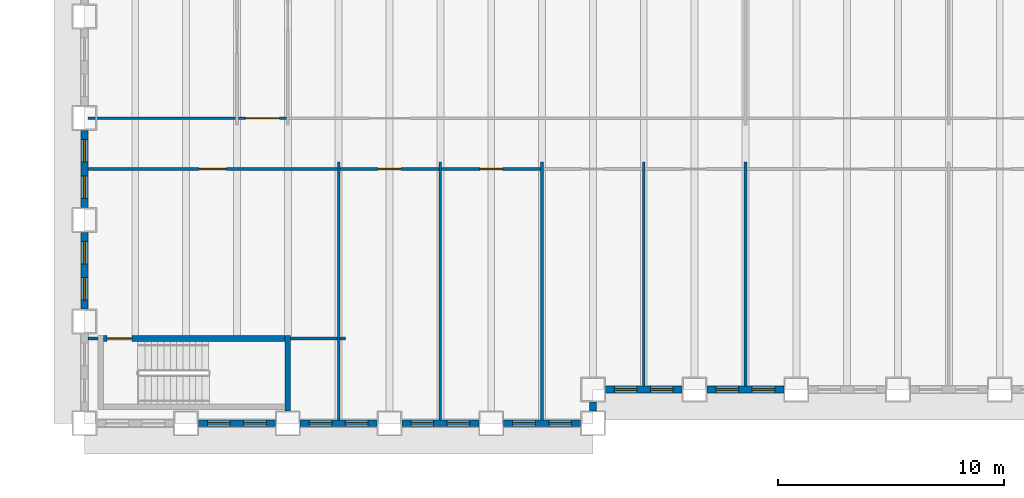
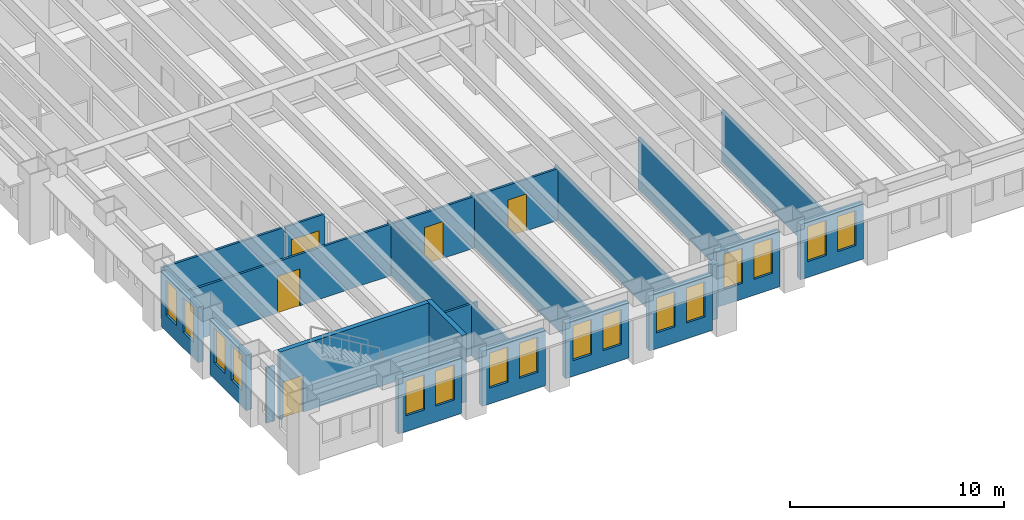
# One storey, part 3 of 15: 24 walls, 16 windows, 5 doors, 21 openings.
"""IFC4 building model written with IfcOpenShell, lengths in metres."""

from ifc_helpers import new_model, si_unit, direction, frame, frame_2d, origin, place, context, subcontext, project, spatial, rectangle, extrude, material, layer, layer_set, type_object, element, fill, save


model = new_model("IFC4")

# Units and contexts
model_context = context("Model", 3, precision=1e-05, world=origin(), true_north=direction((0.0, 1.0)))
body_context = subcontext(model_context, "Body", "Model", "MODEL_VIEW")
ifc_project = project(units=[si_unit("LENGTHUNIT", "METRE"), si_unit("AREAUNIT", "SQUARE_METRE"), si_unit("VOLUMEUNIT", "CUBIC_METRE"), si_unit("PLANEANGLEUNIT", "RADIAN"), si_unit("MASSUNIT", "GRAM", prefix="KILO")], contexts=[model_context])

# Site, building, storey
site_placement = place(None, origin())
site = spatial("IfcSite", under=ifc_project, at=site_placement, CompositionType="ELEMENT")
building_placement = place(site_placement, origin())
building = spatial("IfcBuilding", under=site, at=building_placement, Name="Sennacour Bend Tower", CompositionType="ELEMENT")
storey_placement = place(building_placement, frame((0.0, 0.0, 41.0)))
storey = spatial("IfcBuildingStorey", under=building, at=storey_placement, Name="L08", CompositionType="ELEMENT", Elevation=41.0)

# Walls
ifc_material_1 = material(Name="Plasterboard partition on steel studs", Category="steel")
ifc_layer_1 = layer(ifc_material_1, 0.1201171875, Name="Plasterboard partition on steel studs", Category="steel")
ifc_layer_set_1 = layer_set([ifc_layer_1], Name="Plasterboard partition on steel studs")
wall_type_1 = type_object("IfcWallType", Name="Partition 120", PredefinedType="PARTITIONING", material=ifc_layer_set_1)
for number, where, z_axis, x_axis, name in (
    (1, (11.25, 0.14990234375, 0.0), (0.0, 0.0, 1.0), (0.0, 1.0, 0.0), "P-L08-W014a"),
    (2, (15.75, 0.14990234375, 0.0), (0.0, 0.0, 1.0), (0.0, 1.0, 0.0), "P-L08-W019a"),
    (3, (20.25, 0.14990234375, 0.0), (0.0, 0.0, 1.0), (0.0, 1.0, 0.0), "P-L08-W023a"),
):
    element("IfcWall", number, at=place(storey_placement, frame(where, z_axis=z_axis, x_axis=x_axis)), inside=storey, type_object=wall_type_1, Name=name, PredefinedType="PARTITIONING", context=body_context, shape_type="SweptSolid", body=[
        extrude(rectangle(XDim=11.400146484375, YDim=0.1201171875, at=frame_2d((5.7001953125, 0.0))), origin(), (0.0, 0.0, 1.0), 2.93798828125),
    ])
for number, where, z_axis, x_axis, name in (
    (4, (24.75, 1.64990234375, 0.0), (0.0, 0.0, 1.0), (0.0, 1.0, 0.0), "P-L08-W025a"),
    (5, (29.25, 1.64990234375, 0.0), (0.0, 0.0, 1.0), (0.0, 1.0, 0.0), "P-L08-W026a"),
):
    element("IfcWall", number, at=place(storey_placement, frame(where, z_axis=z_axis, x_axis=x_axis)), inside=storey, type_object=wall_type_1, Name=name, PredefinedType="PARTITIONING", context=body_context, shape_type="SweptSolid", body=[
        extrude(rectangle(XDim=9.900146484375, YDim=0.1201171875, at=frame_2d((4.9501953125, 0.0))), origin(), (0.0, 0.0, 1.0), 2.93798828125),
    ])
wall_1_placement = place(storey_placement, frame((0.14990234375, 3.75, 0.0), z_axis=(0.0, 0.0, 1.0), x_axis=(1.0, 0.0, 0.0)))
element("IfcWall", 6, at=wall_1_placement, inside=storey, type_object=wall_type_1, Name="P-L08-W048a", PredefinedType="PARTITIONING", context=body_context, shape_type="SweptSolid", body=[
    extrude(rectangle(XDim=0.4501953125, YDim=0.1201171875, at=frame_2d((0.22509765625, 0.0))), origin(), (0.0, 0.0, 1.0), 3.14404296875),
])
wall_2_placement = place(storey_placement, frame((9.125, 3.75, 0.0), z_axis=(0.0, 0.0, 1.0), x_axis=(1.0, 0.0, 0.0)))
element("IfcWall", 7, at=wall_2_placement, inside=storey, type_object=wall_type_1, Name="P-L08-W050aa", PredefinedType="PARTITIONING", context=body_context, shape_type="SweptSolid", body=[
    extrude(rectangle(XDim=2.06494140625, YDim=0.1201171875, at=frame_2d((1.032470703125, 0.0))), origin(), (0.0, 0.0, 1.0), 2.93798828125),
])
wall_3_placement = place(storey_placement, frame((11.31005859375, 3.75, 0.0), z_axis=(0.0, 0.0, 1.0), x_axis=(1.0, 0.0, 0.0)))
element("IfcWall", 8, at=wall_3_placement, inside=storey, type_object=wall_type_1, Name="P-L08-W050ab", PredefinedType="PARTITIONING", context=body_context, shape_type="SweptSolid", body=[
    extrude(rectangle(XDim=0.239990234375, YDim=0.1201171875, at=frame_2d((0.1201171875, 0.0))), origin(), (0.0, 0.0, 1.0), 2.93798828125),
])

# Wall, opening, door
wall_4_placement = place(storey_placement, frame((11.31005859375, 11.25, 0.0), z_axis=(0.0, 0.0, 1.0), x_axis=(1.0, 0.0, 0.0)))
wall_4 = element("IfcWall", 9, at=wall_4_placement, inside=storey, type_object=wall_type_1, Name="P-L08-W056ab", PredefinedType="PARTITIONING", context=body_context, shape_type="SweptSolid", body=[
    extrude(rectangle(XDim=4.3798828125, YDim=0.1201171875, at=frame_2d((2.18994140625, 0.0))), origin(), (0.0, 0.0, 1.0), 2.93798828125),
])
opening_1_placement = place(wall_4_placement, frame((1.68994140625, 0.0, 0.0)))
opening_1 = element("IfcOpeningElement", 10, at=opening_1_placement, cuts=wall_4, Name="Opening MD2", PredefinedType="OPENING", context=body_context, shape_type="SweptSolid", body=[
    extrude(rectangle(XDim=1.0, YDim=2.10009765625, at=frame_2d((0.5, 1.050048828125))), frame((0.0, 0.070068359375, 0.0), z_axis=(0.0, -1.0, 0.0), x_axis=(1.0, 0.0, 0.0)), (0.0, 0.0, 1.0), 0.14013671875),
])
ifc_material_2 = material(Name="Timber", Category="wood")
door_type_1 = type_object("IfcDoorType", Name="DR-MEETING-1000", OperationType="NOTDEFINED", PredefinedType="DOOR", material=ifc_material_2)
door_1_placement = place(opening_1_placement, origin())
door_1 = element("IfcDoor", 11, at=door_1_placement, inside=storey, type_object=door_type_1, Name="Door", OperationType="SINGLE_SWING_LEFT", OverallHeight=2.10009765625, OverallWidth=1.0, PredefinedType="DOOR", context=body_context, shape_type="SweptSolid", body=[
    extrude(rectangle(XDim=1.0, YDim=2.10009765625, at=frame_2d((0.5, 1.050048828125))), frame((0.0, 0.02490234375, 0.0), z_axis=(0.0, -1.0, 0.0), x_axis=(1.0, 0.0, 0.0)), (0.0, 0.0, 1.0), 0.050048828125),
])
fill(opening_1, door_1)

wall_5_placement = place(storey_placement, frame((15.81005859375, 11.25, 0.0), z_axis=(0.0, 0.0, 1.0), x_axis=(1.0, 0.0, 0.0)))
wall_5 = element("IfcWall", 12, at=wall_5_placement, inside=storey, type_object=wall_type_1, Name="P-L08-W056ac", PredefinedType="PARTITIONING", context=body_context, shape_type="SweptSolid", body=[
    extrude(rectangle(XDim=4.3798828125, YDim=0.1201171875, at=frame_2d((2.18994140625, 0.0))), origin(), (0.0, 0.0, 1.0), 2.93798828125),
])
opening_2_placement = place(wall_5_placement, frame((1.68994140625, 0.0, 0.0)))
opening_2 = element("IfcOpeningElement", 13, at=opening_2_placement, cuts=wall_5, Name="Opening OD2", PredefinedType="OPENING", context=body_context, shape_type="SweptSolid", body=[
    extrude(rectangle(XDim=1.0, YDim=2.10009765625, at=frame_2d((0.5, 1.050048828125))), frame((0.0, 0.070068359375, 0.0), z_axis=(0.0, -1.0, 0.0), x_axis=(1.0, 0.0, 0.0)), (0.0, 0.0, 1.0), 0.14013671875),
])
door_type_2 = type_object("IfcDoorType", Name="DR-OFFICE-1000", OperationType="NOTDEFINED", PredefinedType="DOOR", material=ifc_material_2)
door_2_placement = place(opening_2_placement, origin())
door_2 = element("IfcDoor", 14, at=door_2_placement, inside=storey, type_object=door_type_2, Name="Door", OperationType="SINGLE_SWING_LEFT", OverallHeight=2.10009765625, OverallWidth=1.0, PredefinedType="DOOR", context=body_context, shape_type="SweptSolid", body=[
    extrude(rectangle(XDim=1.0, YDim=2.10009765625, at=frame_2d((0.5, 1.050048828125))), frame((0.0, 0.02490234375, 0.0), z_axis=(0.0, -1.0, 0.0), x_axis=(1.0, 0.0, 0.0)), (0.0, 0.0, 1.0), 0.050048828125),
])
fill(opening_2, door_2)

# Wall
wall_6_placement = place(storey_placement, frame((0.14990234375, 13.5, 0.0), z_axis=(0.0, 0.0, 1.0), x_axis=(1.0, 0.0, 0.0)))
element("IfcWall", 15, at=wall_6_placement, inside=storey, type_object=wall_type_1, Name="P-L08-W058aa", PredefinedType="PARTITIONING", context=body_context, shape_type="SweptSolid", body=[
    extrude(rectangle(XDim=6.5400390625, YDim=0.1201171875, at=frame_2d((3.27001953125, 0.0))), origin(), (0.0, 0.0, 1.0), 2.93798828125),
])

# Wall, opening, door
ifc_layer_2 = layer(ifc_material_1, 0.1201171875, Name="Plasterboard partition on steel studs", Category="steel")
ifc_layer_set_2 = layer_set([ifc_layer_2], Name="Plasterboard partition on steel studs")
wall_type_2 = type_object("IfcWallType", Name="Partition 120 EI 30", PredefinedType="PARTITIONING", material=ifc_layer_set_2)
wall_7_placement = place(storey_placement, frame((0.14990234375, 11.25, 0.0), z_axis=(0.0, 0.0, 1.0), x_axis=(1.0, 0.0, 0.0)))
wall_7 = element("IfcWall", 16, at=wall_7_placement, inside=storey, type_object=wall_type_2, Name="P-L08-W056aa", PredefinedType="PARTITIONING", context=body_context, shape_type="SweptSolid", body=[
    extrude(rectangle(XDim=11.0400390625, YDim=0.1201171875, at=frame_2d((5.52001953125, 0.0))), origin(), (0.0, 0.0, 1.0), 2.93798828125),
])
opening_3_placement = place(wall_7_placement, frame((4.93017578125, 0.0, 0.0)))
opening_3 = element("IfcOpeningElement", 17, at=opening_3_placement, cuts=wall_7, Name="Opening KD2", PredefinedType="OPENING", context=body_context, shape_type="SweptSolid", body=[
    extrude(rectangle(XDim=1.199951171875, YDim=2.10009765625, at=frame_2d((0.60009765625, 1.050048828125))), frame((0.0, 0.070068359375, 0.0), z_axis=(0.0, -1.0, 0.0), x_axis=(1.0, 0.0, 0.0)), (0.0, 0.0, 1.0), 0.14013671875),
])
ifc_material_3 = material(Name="Painted steel", Category="steel")
door_type_3 = type_object("IfcDoorType", Name="DR-CORRIDOR-1200", OperationType="NOTDEFINED", PredefinedType="DOOR", material=ifc_material_3)
door_3_placement = place(opening_3_placement, origin())
door_3 = element("IfcDoor", 18, at=door_3_placement, inside=storey, type_object=door_type_3, Name="Door", OperationType="SINGLE_SWING_LEFT", OverallHeight=2.10009765625, OverallWidth=1.199951171875, PredefinedType="DOOR", context=body_context, shape_type="SweptSolid", body=[
    extrude(rectangle(XDim=1.199951171875, YDim=2.10009765625, at=frame_2d((0.60009765625, 1.050048828125))), frame((0.0, 0.02490234375, 0.0), z_axis=(0.0, -1.0, 0.0), x_axis=(1.0, 0.0, 0.0)), (0.0, 0.0, 1.0), 0.050048828125),
])
fill(opening_3, door_3)

wall_8_placement = place(storey_placement, frame((6.81005859375, 13.5, 0.0), z_axis=(0.0, 0.0, 1.0), x_axis=(1.0, 0.0, 0.0)))
wall_8 = element("IfcWall", 19, at=wall_8_placement, inside=storey, type_object=wall_type_2, Name="P-L08-W058ab", PredefinedType="PARTITIONING", context=body_context, shape_type="SweptSolid", body=[
    extrude(rectangle(XDim=2.1298828125, YDim=0.1201171875, at=frame_2d((1.06494140625, 0.0))), origin(), (0.0, 0.0, 1.0), 2.93798828125),
])
opening_4_placement = place(wall_8_placement, frame((0.31494140625, 0.0, 0.0)))
opening_4 = element("IfcOpeningElement", 20, at=opening_4_placement, cuts=wall_8, Name="Opening KD", PredefinedType="OPENING", context=body_context, shape_type="SweptSolid", body=[
    extrude(rectangle(XDim=1.5, YDim=2.10009765625, at=frame_2d((0.75, 1.050048828125))), frame((0.0, 0.070068359375, 0.0), z_axis=(0.0, -1.0, 0.0), x_axis=(1.0, 0.0, 0.0)), (0.0, 0.0, 1.0), 0.14013671875),
])
door_type_4 = type_object("IfcDoorType", Name="DR-CORRIDOR-1500", OperationType="NOTDEFINED", PredefinedType="DOOR", material=ifc_material_3)
door_4_placement = place(opening_4_placement, origin())
door_4 = element("IfcDoor", 21, at=door_4_placement, inside=storey, type_object=door_type_4, Name="Door", OperationType="SINGLE_SWING_LEFT", OverallHeight=2.10009765625, OverallWidth=1.5, PredefinedType="DOOR", context=body_context, shape_type="SweptSolid", body=[
    extrude(rectangle(XDim=1.5, YDim=2.10009765625, at=frame_2d((0.75, 1.050048828125))), frame((0.0, 0.02490234375, 0.0), z_axis=(0.0, -1.0, 0.0), x_axis=(1.0, 0.0, 0.0)), (0.0, 0.0, 1.0), 0.050048828125),
])
fill(opening_4, door_4)

# Wall, openings, windows
ifc_material_4 = material(Name="Warm limestone cladding", Category="masonry")
ifc_layer_3 = layer(ifc_material_4, 0.050048828125, Name="Warm limestone cladding", Category="masonry")
ifc_material_5 = material(Name="Precast concrete C40/50", Category="concrete")
ifc_layer_4 = layer(ifc_material_5, 0.25, Name="Precast concrete C40/50", Category="concrete")
ifc_layer_set_3 = layer_set([ifc_layer_3, ifc_layer_4], Name="Precast concrete C40/50 with limestone cladding")
wall_type_3 = type_object("IfcWallType", Name="STONE-CLAD PRECAST SPANDREL 300", PredefinedType="STANDARD", material=ifc_layer_set_3)
wall_9_placement = place(storey_placement, frame((5.050048828125, 0.0, 0.0), z_axis=(0.0, 0.0, 1.0), x_axis=(1.0, 0.0, 0.0)))
wall_9 = element("IfcWall", 22, at=wall_9_placement, inside=storey, type_object=wall_type_3, Name="Stone spandrel and pier wall L08 00.01", PredefinedType="STANDARD", context=body_context, shape_type="SweptSolid", body=[
    extrude(rectangle(XDim=3.39990234375, YDim=0.300048828125, at=frame_2d((1.699951171875, 0.0))), origin(), (0.0, 0.0, 1.0), 3.14404296875),
])
opening_5_placement = place(wall_9_placement, frame((0.39990234375, 0.0, 0.89990234375)))
opening_5 = element("IfcOpeningElement", 23, at=opening_5_placement, cuts=wall_9, Name="Opening W8", PredefinedType="OPENING", context=body_context, shape_type="SweptSolid", body=[
    extrude(rectangle(XDim=1.0, YDim=2.0, at=frame_2d((0.5, 1.0))), frame((0.0, 0.16015625, 0.0), z_axis=(0.0, -1.0, 0.0), x_axis=(1.0, 0.0, 0.0)), (0.0, 0.0, 1.0), 0.320068359375),
])
opening_6_placement = place(wall_9_placement, frame((2.0, 0.0, 0.89990234375)))
opening_6 = element("IfcOpeningElement", 24, at=opening_6_placement, cuts=wall_9, Name="Opening W8", PredefinedType="OPENING", context=body_context, shape_type="SweptSolid", body=[
    extrude(rectangle(XDim=1.0, YDim=2.0, at=frame_2d((0.5, 1.0))), frame((0.0, 0.16015625, 0.0), z_axis=(0.0, -1.0, 0.0), x_axis=(1.0, 0.0, 0.0)), (0.0, 0.0, 1.0), 0.320068359375),
])
ifc_material_6 = material(Name="Clear low-emissivity glass", Category="glass")
window_type = type_object("IfcWindowType", Name="WIN-RIBBON-1000x2000", PartitioningType="SINGLE_PANEL", PredefinedType="WINDOW", material=ifc_material_6)
window_1_placement = place(opening_5_placement, origin())
window_1 = element("IfcWindow", 25, at=window_1_placement, inside=storey, type_object=window_type, Name="Ribbon window L08 00.01.0", OverallHeight=2.0, OverallWidth=1.0, PartitioningType="SINGLE_PANEL", PredefinedType="WINDOW", context=body_context, shape_type="SweptSolid", body=[
    extrude(rectangle(XDim=1.0, YDim=2.0, at=frame_2d((0.5, 1.0))), frame((0.0, 0.030029296875, 0.0), z_axis=(0.0, -1.0, 0.0), x_axis=(1.0, 0.0, 0.0)), (0.0, 0.0, 1.0), 0.06005859375),
])
fill(opening_5, window_1)
window_2_placement = place(opening_6_placement, origin())
window_2 = element("IfcWindow", 26, at=window_2_placement, inside=storey, type_object=window_type, Name="Ribbon window L08 00.01.1", OverallHeight=2.0, OverallWidth=1.0, PartitioningType="SINGLE_PANEL", PredefinedType="WINDOW", context=body_context, shape_type="SweptSolid", body=[
    extrude(rectangle(XDim=1.0, YDim=2.0, at=frame_2d((0.5, 1.0))), frame((0.0, 0.030029296875, 0.0), z_axis=(0.0, -1.0, 0.0), x_axis=(1.0, 0.0, 0.0)), (0.0, 0.0, 1.0), 0.06005859375),
])
fill(opening_6, window_2)

wall_10_placement = place(storey_placement, frame((9.550048828125, 0.0, 0.0), z_axis=(0.0, 0.0, 1.0), x_axis=(1.0, 0.0, 0.0)))
wall_10 = element("IfcWall", 27, at=wall_10_placement, inside=storey, type_object=wall_type_3, Name="Stone spandrel and pier wall L08 00.02", PredefinedType="STANDARD", context=body_context, shape_type="SweptSolid", body=[
    extrude(rectangle(XDim=3.39990234375, YDim=0.300048828125, at=frame_2d((1.699951171875, 0.0))), origin(), (0.0, 0.0, 1.0), 3.14404296875),
])
opening_7_placement = place(wall_10_placement, frame((0.39990234375, 0.0, 0.89990234375)))
opening_7 = element("IfcOpeningElement", 28, at=opening_7_placement, cuts=wall_10, Name="Opening W8", PredefinedType="OPENING", context=body_context, shape_type="SweptSolid", body=[
    extrude(rectangle(XDim=1.0, YDim=2.0, at=frame_2d((0.5, 1.0))), frame((0.0, 0.16015625, 0.0), z_axis=(0.0, -1.0, 0.0), x_axis=(1.0, 0.0, 0.0)), (0.0, 0.0, 1.0), 0.320068359375),
])
opening_8_placement = place(wall_10_placement, frame((2.0, 0.0, 0.89990234375)))
opening_8 = element("IfcOpeningElement", 29, at=opening_8_placement, cuts=wall_10, Name="Opening W8", PredefinedType="OPENING", context=body_context, shape_type="SweptSolid", body=[
    extrude(rectangle(XDim=1.0, YDim=2.0, at=frame_2d((0.5, 1.0))), frame((0.0, 0.16015625, 0.0), z_axis=(0.0, -1.0, 0.0), x_axis=(1.0, 0.0, 0.0)), (0.0, 0.0, 1.0), 0.320068359375),
])
window_3_placement = place(opening_7_placement, origin())
window_3 = element("IfcWindow", 30, at=window_3_placement, inside=storey, type_object=window_type, Name="Ribbon window L08 00.02.0", OverallHeight=2.0, OverallWidth=1.0, PartitioningType="SINGLE_PANEL", PredefinedType="WINDOW", context=body_context, shape_type="SweptSolid", body=[
    extrude(rectangle(XDim=1.0, YDim=2.0, at=frame_2d((0.5, 1.0))), frame((0.0, 0.030029296875, 0.0), z_axis=(0.0, -1.0, 0.0), x_axis=(1.0, 0.0, 0.0)), (0.0, 0.0, 1.0), 0.06005859375),
])
fill(opening_7, window_3)
window_4_placement = place(opening_8_placement, origin())
window_4 = element("IfcWindow", 31, at=window_4_placement, inside=storey, type_object=window_type, Name="Ribbon window L08 00.02.1", OverallHeight=2.0, OverallWidth=1.0, PartitioningType="SINGLE_PANEL", PredefinedType="WINDOW", context=body_context, shape_type="SweptSolid", body=[
    extrude(rectangle(XDim=1.0, YDim=2.0, at=frame_2d((0.5, 1.0))), frame((0.0, 0.030029296875, 0.0), z_axis=(0.0, -1.0, 0.0), x_axis=(1.0, 0.0, 0.0)), (0.0, 0.0, 1.0), 0.06005859375),
])
fill(opening_8, window_4)

wall_11_placement = place(storey_placement, frame((14.050048828125, 0.0, 0.0), z_axis=(0.0, 0.0, 1.0), x_axis=(1.0, 0.0, 0.0)))
wall_11 = element("IfcWall", 32, at=wall_11_placement, inside=storey, type_object=wall_type_3, Name="Stone spandrel and pier wall L08 00.03", PredefinedType="STANDARD", context=body_context, shape_type="SweptSolid", body=[
    extrude(rectangle(XDim=3.39990234375, YDim=0.300048828125, at=frame_2d((1.699951171875, 0.0))), origin(), (0.0, 0.0, 1.0), 3.14404296875),
])
opening_9_placement = place(wall_11_placement, frame((0.39990234375, 0.0, 0.89990234375)))
opening_9 = element("IfcOpeningElement", 33, at=opening_9_placement, cuts=wall_11, Name="Opening W8", PredefinedType="OPENING", context=body_context, shape_type="SweptSolid", body=[
    extrude(rectangle(XDim=1.0, YDim=2.0, at=frame_2d((0.5, 1.0))), frame((0.0, 0.16015625, 0.0), z_axis=(0.0, -1.0, 0.0), x_axis=(1.0, 0.0, 0.0)), (0.0, 0.0, 1.0), 0.320068359375),
])
opening_10_placement = place(wall_11_placement, frame((2.0, 0.0, 0.89990234375)))
opening_10 = element("IfcOpeningElement", 34, at=opening_10_placement, cuts=wall_11, Name="Opening W8", PredefinedType="OPENING", context=body_context, shape_type="SweptSolid", body=[
    extrude(rectangle(XDim=1.0, YDim=2.0, at=frame_2d((0.5, 1.0))), frame((0.0, 0.16015625, 0.0), z_axis=(0.0, -1.0, 0.0), x_axis=(1.0, 0.0, 0.0)), (0.0, 0.0, 1.0), 0.320068359375),
])
window_5_placement = place(opening_9_placement, origin())
window_5 = element("IfcWindow", 35, at=window_5_placement, inside=storey, type_object=window_type, Name="Ribbon window L08 00.03.0", OverallHeight=2.0, OverallWidth=1.0, PartitioningType="SINGLE_PANEL", PredefinedType="WINDOW", context=body_context, shape_type="SweptSolid", body=[
    extrude(rectangle(XDim=1.0, YDim=2.0, at=frame_2d((0.5, 1.0))), frame((0.0, 0.030029296875, 0.0), z_axis=(0.0, -1.0, 0.0), x_axis=(1.0, 0.0, 0.0)), (0.0, 0.0, 1.0), 0.06005859375),
])
fill(opening_9, window_5)
window_6_placement = place(opening_10_placement, origin())
window_6 = element("IfcWindow", 36, at=window_6_placement, inside=storey, type_object=window_type, Name="Ribbon window L08 00.03.1", OverallHeight=2.0, OverallWidth=1.0, PartitioningType="SINGLE_PANEL", PredefinedType="WINDOW", context=body_context, shape_type="SweptSolid", body=[
    extrude(rectangle(XDim=1.0, YDim=2.0, at=frame_2d((0.5, 1.0))), frame((0.0, 0.030029296875, 0.0), z_axis=(0.0, -1.0, 0.0), x_axis=(1.0, 0.0, 0.0)), (0.0, 0.0, 1.0), 0.06005859375),
])
fill(opening_10, window_6)

wall_12_placement = place(storey_placement, frame((18.550048828125, 0.0, 0.0), z_axis=(0.0, 0.0, 1.0), x_axis=(1.0, 0.0, 0.0)))
wall_12 = element("IfcWall", 37, at=wall_12_placement, inside=storey, type_object=wall_type_3, Name="Stone spandrel and pier wall L08 00.04", PredefinedType="STANDARD", context=body_context, shape_type="SweptSolid", body=[
    extrude(rectangle(XDim=3.39990234375, YDim=0.300048828125, at=frame_2d((1.699951171875, 0.0))), origin(), (0.0, 0.0, 1.0), 3.14404296875),
])
opening_11_placement = place(wall_12_placement, frame((0.39990234375, 0.0, 0.89990234375)))
opening_11 = element("IfcOpeningElement", 38, at=opening_11_placement, cuts=wall_12, Name="Opening W8", PredefinedType="OPENING", context=body_context, shape_type="SweptSolid", body=[
    extrude(rectangle(XDim=1.0, YDim=2.0, at=frame_2d((0.5, 1.0))), frame((0.0, 0.16015625, 0.0), z_axis=(0.0, -1.0, 0.0), x_axis=(1.0, 0.0, 0.0)), (0.0, 0.0, 1.0), 0.320068359375),
])
opening_12_placement = place(wall_12_placement, frame((2.0, 0.0, 0.89990234375)))
opening_12 = element("IfcOpeningElement", 39, at=opening_12_placement, cuts=wall_12, Name="Opening W8", PredefinedType="OPENING", context=body_context, shape_type="SweptSolid", body=[
    extrude(rectangle(XDim=1.0, YDim=2.0, at=frame_2d((0.5, 1.0))), frame((0.0, 0.16015625, 0.0), z_axis=(0.0, -1.0, 0.0), x_axis=(1.0, 0.0, 0.0)), (0.0, 0.0, 1.0), 0.320068359375),
])
window_7_placement = place(opening_11_placement, origin())
window_7 = element("IfcWindow", 40, at=window_7_placement, inside=storey, type_object=window_type, Name="Ribbon window L08 00.04.0", OverallHeight=2.0, OverallWidth=1.0, PartitioningType="SINGLE_PANEL", PredefinedType="WINDOW", context=body_context, shape_type="SweptSolid", body=[
    extrude(rectangle(XDim=1.0, YDim=2.0, at=frame_2d((0.5, 1.0))), frame((0.0, 0.030029296875, 0.0), z_axis=(0.0, -1.0, 0.0), x_axis=(1.0, 0.0, 0.0)), (0.0, 0.0, 1.0), 0.06005859375),
])
fill(opening_11, window_7)
window_8_placement = place(opening_12_placement, origin())
window_8 = element("IfcWindow", 41, at=window_8_placement, inside=storey, type_object=window_type, Name="Ribbon window L08 00.04.1", OverallHeight=2.0, OverallWidth=1.0, PartitioningType="SINGLE_PANEL", PredefinedType="WINDOW", context=body_context, shape_type="SweptSolid", body=[
    extrude(rectangle(XDim=1.0, YDim=2.0, at=frame_2d((0.5, 1.0))), frame((0.0, 0.030029296875, 0.0), z_axis=(0.0, -1.0, 0.0), x_axis=(1.0, 0.0, 0.0)), (0.0, 0.0, 1.0), 0.06005859375),
])
fill(opening_12, window_8)

# Wall
wall_13_placement = place(storey_placement, frame((22.5, 0.550048828125, 0.0), z_axis=(0.0, 0.0, 1.0), x_axis=(0.0, 1.0, 0.0)))
element("IfcWall", 42, at=wall_13_placement, inside=storey, type_object=wall_type_3, Name="Stone spandrel and pier wall L08 01.00", PredefinedType="STANDARD", context=body_context, shape_type="SweptSolid", body=[
    extrude(rectangle(XDim=0.39990234375, YDim=0.300048828125, at=frame_2d((0.199951171875, 0.0))), origin(), (0.0, 0.0, 1.0), 3.14404296875),
])

# Wall, openings, windows
wall_14_placement = place(storey_placement, frame((23.050048828125, 1.5, 0.0), z_axis=(0.0, 0.0, 1.0), x_axis=(1.0, 0.0, 0.0)))
wall_14 = element("IfcWall", 43, at=wall_14_placement, inside=storey, type_object=wall_type_3, Name="Stone spandrel and pier wall L08 02.00", PredefinedType="STANDARD", context=body_context, shape_type="SweptSolid", body=[
    extrude(rectangle(XDim=3.39990234375, YDim=0.300048828125, at=frame_2d((1.699951171875, 0.0))), origin(), (0.0, 0.0, 1.0), 3.14404296875),
])
opening_13_placement = place(wall_14_placement, frame((0.39990234375, 0.0, 0.89990234375)))
opening_13 = element("IfcOpeningElement", 44, at=opening_13_placement, cuts=wall_14, Name="Opening W8", PredefinedType="OPENING", context=body_context, shape_type="SweptSolid", body=[
    extrude(rectangle(XDim=1.0, YDim=2.0, at=frame_2d((0.5, 1.0))), frame((0.0, 0.16015625, 0.0), z_axis=(0.0, -1.0, 0.0), x_axis=(1.0, 0.0, 0.0)), (0.0, 0.0, 1.0), 0.320068359375),
])
opening_14_placement = place(wall_14_placement, frame((2.0, 0.0, 0.89990234375)))
opening_14 = element("IfcOpeningElement", 45, at=opening_14_placement, cuts=wall_14, Name="Opening W8", PredefinedType="OPENING", context=body_context, shape_type="SweptSolid", body=[
    extrude(rectangle(XDim=1.0, YDim=2.0, at=frame_2d((0.5, 1.0))), frame((0.0, 0.16015625, 0.0), z_axis=(0.0, -1.0, 0.0), x_axis=(1.0, 0.0, 0.0)), (0.0, 0.0, 1.0), 0.320068359375),
])
window_9_placement = place(opening_13_placement, origin())
window_9 = element("IfcWindow", 46, at=window_9_placement, inside=storey, type_object=window_type, Name="Ribbon window L08 02.00.0", OverallHeight=2.0, OverallWidth=1.0, PartitioningType="SINGLE_PANEL", PredefinedType="WINDOW", context=body_context, shape_type="SweptSolid", body=[
    extrude(rectangle(XDim=1.0, YDim=2.0, at=frame_2d((0.5, 1.0))), frame((0.0, 0.030029296875, 0.0), z_axis=(0.0, -1.0, 0.0), x_axis=(1.0, 0.0, 0.0)), (0.0, 0.0, 1.0), 0.06005859375),
])
fill(opening_13, window_9)
window_10_placement = place(opening_14_placement, origin())
window_10 = element("IfcWindow", 47, at=window_10_placement, inside=storey, type_object=window_type, Name="Ribbon window L08 02.00.1", OverallHeight=2.0, OverallWidth=1.0, PartitioningType="SINGLE_PANEL", PredefinedType="WINDOW", context=body_context, shape_type="SweptSolid", body=[
    extrude(rectangle(XDim=1.0, YDim=2.0, at=frame_2d((0.5, 1.0))), frame((0.0, 0.030029296875, 0.0), z_axis=(0.0, -1.0, 0.0), x_axis=(1.0, 0.0, 0.0)), (0.0, 0.0, 1.0), 0.06005859375),
])
fill(opening_14, window_10)

wall_15_placement = place(storey_placement, frame((27.550048828125, 1.5, 0.0), z_axis=(0.0, 0.0, 1.0), x_axis=(1.0, 0.0, 0.0)))
wall_15 = element("IfcWall", 48, at=wall_15_placement, inside=storey, type_object=wall_type_3, Name="Stone spandrel and pier wall L08 02.01", PredefinedType="STANDARD", context=body_context, shape_type="SweptSolid", body=[
    extrude(rectangle(XDim=3.39990234375, YDim=0.300048828125, at=frame_2d((1.699951171875, 0.0))), origin(), (0.0, 0.0, 1.0), 3.14404296875),
])
opening_15_placement = place(wall_15_placement, frame((0.39990234375, 0.0, 0.89990234375)))
opening_15 = element("IfcOpeningElement", 49, at=opening_15_placement, cuts=wall_15, Name="Opening W8", PredefinedType="OPENING", context=body_context, shape_type="SweptSolid", body=[
    extrude(rectangle(XDim=1.0, YDim=2.0, at=frame_2d((0.5, 1.0))), frame((0.0, 0.16015625, 0.0), z_axis=(0.0, -1.0, 0.0), x_axis=(1.0, 0.0, 0.0)), (0.0, 0.0, 1.0), 0.320068359375),
])
opening_16_placement = place(wall_15_placement, frame((2.0, 0.0, 0.89990234375)))
opening_16 = element("IfcOpeningElement", 50, at=opening_16_placement, cuts=wall_15, Name="Opening W8", PredefinedType="OPENING", context=body_context, shape_type="SweptSolid", body=[
    extrude(rectangle(XDim=1.0, YDim=2.0, at=frame_2d((0.5, 1.0))), frame((0.0, 0.16015625, 0.0), z_axis=(0.0, -1.0, 0.0), x_axis=(1.0, 0.0, 0.0)), (0.0, 0.0, 1.0), 0.320068359375),
])
window_11_placement = place(opening_15_placement, origin())
window_11 = element("IfcWindow", 51, at=window_11_placement, inside=storey, type_object=window_type, Name="Ribbon window L08 02.01.0", OverallHeight=2.0, OverallWidth=1.0, PartitioningType="SINGLE_PANEL", PredefinedType="WINDOW", context=body_context, shape_type="SweptSolid", body=[
    extrude(rectangle(XDim=1.0, YDim=2.0, at=frame_2d((0.5, 1.0))), frame((0.0, 0.030029296875, 0.0), z_axis=(0.0, -1.0, 0.0), x_axis=(1.0, 0.0, 0.0)), (0.0, 0.0, 1.0), 0.06005859375),
])
fill(opening_15, window_11)
window_12_placement = place(opening_16_placement, origin())
window_12 = element("IfcWindow", 52, at=window_12_placement, inside=storey, type_object=window_type, Name="Ribbon window L08 02.01.1", OverallHeight=2.0, OverallWidth=1.0, PartitioningType="SINGLE_PANEL", PredefinedType="WINDOW", context=body_context, shape_type="SweptSolid", body=[
    extrude(rectangle(XDim=1.0, YDim=2.0, at=frame_2d((0.5, 1.0))), frame((0.0, 0.030029296875, 0.0), z_axis=(0.0, -1.0, 0.0), x_axis=(1.0, 0.0, 0.0)), (0.0, 0.0, 1.0), 0.06005859375),
])
fill(opening_16, window_12)

wall_16_placement = place(storey_placement, frame((0.0, 12.949951171875, 0.0), z_axis=(0.0, 0.0, 1.0), x_axis=(0.0, -1.0, 0.0)))
wall_16 = element("IfcWall", 53, at=wall_16_placement, inside=storey, type_object=wall_type_3, Name="Stone spandrel and pier wall L08 23.02", PredefinedType="STANDARD", context=body_context, shape_type="SweptSolid", body=[
    extrude(rectangle(XDim=3.39990234375, YDim=0.300048828125, at=frame_2d((1.699951171875, 0.0))), origin(), (0.0, 0.0, 1.0), 3.14404296875),
])
opening_17_placement = place(wall_16_placement, frame((0.39990234375, 0.0, 0.89990234375)))
opening_17 = element("IfcOpeningElement", 54, at=opening_17_placement, cuts=wall_16, Name="Opening W8", PredefinedType="OPENING", context=body_context, shape_type="SweptSolid", body=[
    extrude(rectangle(XDim=1.0, YDim=2.0, at=frame_2d((0.5, 1.0))), frame((0.0, 0.16015625, 0.0), z_axis=(0.0, -1.0, 0.0), x_axis=(1.0, 0.0, 0.0)), (0.0, 0.0, 1.0), 0.320068359375),
])
opening_18_placement = place(wall_16_placement, frame((2.0, 0.0, 0.89990234375)))
opening_18 = element("IfcOpeningElement", 55, at=opening_18_placement, cuts=wall_16, Name="Opening W8", PredefinedType="OPENING", context=body_context, shape_type="SweptSolid", body=[
    extrude(rectangle(XDim=1.0, YDim=2.0, at=frame_2d((0.5, 1.0))), frame((0.0, 0.16015625, 0.0), z_axis=(0.0, -1.0, 0.0), x_axis=(1.0, 0.0, 0.0)), (0.0, 0.0, 1.0), 0.320068359375),
])
window_13_placement = place(opening_17_placement, origin())
window_13 = element("IfcWindow", 56, at=window_13_placement, inside=storey, type_object=window_type, Name="Ribbon window L08 23.02.0", OverallHeight=2.0, OverallWidth=1.0, PartitioningType="SINGLE_PANEL", PredefinedType="WINDOW", context=body_context, shape_type="SweptSolid", body=[
    extrude(rectangle(XDim=1.0, YDim=2.0, at=frame_2d((0.5, 1.0))), frame((0.0, 0.030029296875, 0.0), z_axis=(0.0, -1.0, 0.0), x_axis=(1.0, 0.0, 0.0)), (0.0, 0.0, 1.0), 0.06005859375),
])
fill(opening_17, window_13)
window_14_placement = place(opening_18_placement, origin())
window_14 = element("IfcWindow", 57, at=window_14_placement, inside=storey, type_object=window_type, Name="Ribbon window L08 23.02.1", OverallHeight=2.0, OverallWidth=1.0, PartitioningType="SINGLE_PANEL", PredefinedType="WINDOW", context=body_context, shape_type="SweptSolid", body=[
    extrude(rectangle(XDim=1.0, YDim=2.0, at=frame_2d((0.5, 1.0))), frame((0.0, 0.030029296875, 0.0), z_axis=(0.0, -1.0, 0.0), x_axis=(1.0, 0.0, 0.0)), (0.0, 0.0, 1.0), 0.06005859375),
])
fill(opening_18, window_14)

wall_17_placement = place(storey_placement, frame((0.0, 8.449951171875, 0.0), z_axis=(0.0, 0.0, 1.0), x_axis=(0.0, -1.0, 0.0)))
wall_17 = element("IfcWall", 58, at=wall_17_placement, inside=storey, type_object=wall_type_3, Name="Stone spandrel and pier wall L08 23.03", PredefinedType="STANDARD", context=body_context, shape_type="SweptSolid", body=[
    extrude(rectangle(XDim=3.39990234375, YDim=0.300048828125, at=frame_2d((1.699951171875, 0.0))), origin(), (0.0, 0.0, 1.0), 3.14404296875),
])
opening_19_placement = place(wall_17_placement, frame((0.39990234375, 0.0, 0.89990234375)))
opening_19 = element("IfcOpeningElement", 59, at=opening_19_placement, cuts=wall_17, Name="Opening W8", PredefinedType="OPENING", context=body_context, shape_type="SweptSolid", body=[
    extrude(rectangle(XDim=1.0, YDim=2.0, at=frame_2d((0.5, 1.0))), frame((0.0, 0.16015625, 0.0), z_axis=(0.0, -1.0, 0.0), x_axis=(1.0, 0.0, 0.0)), (0.0, 0.0, 1.0), 0.320068359375),
])
opening_20_placement = place(wall_17_placement, frame((2.0, 0.0, 0.89990234375)))
opening_20 = element("IfcOpeningElement", 60, at=opening_20_placement, cuts=wall_17, Name="Opening W8", PredefinedType="OPENING", context=body_context, shape_type="SweptSolid", body=[
    extrude(rectangle(XDim=1.0, YDim=2.0, at=frame_2d((0.5, 1.0))), frame((0.0, 0.16015625, 0.0), z_axis=(0.0, -1.0, 0.0), x_axis=(1.0, 0.0, 0.0)), (0.0, 0.0, 1.0), 0.320068359375),
])
window_15_placement = place(opening_19_placement, origin())
window_15 = element("IfcWindow", 61, at=window_15_placement, inside=storey, type_object=window_type, Name="Ribbon window L08 23.03.0", OverallHeight=2.0, OverallWidth=1.0, PartitioningType="SINGLE_PANEL", PredefinedType="WINDOW", context=body_context, shape_type="SweptSolid", body=[
    extrude(rectangle(XDim=1.0, YDim=2.0, at=frame_2d((0.5, 1.0))), frame((0.0, 0.030029296875, 0.0), z_axis=(0.0, -1.0, 0.0), x_axis=(1.0, 0.0, 0.0)), (0.0, 0.0, 1.0), 0.06005859375),
])
fill(opening_19, window_15)
window_16_placement = place(opening_20_placement, origin())
window_16 = element("IfcWindow", 62, at=window_16_placement, inside=storey, type_object=window_type, Name="Ribbon window L08 23.03.1", OverallHeight=2.0, OverallWidth=1.0, PartitioningType="SINGLE_PANEL", PredefinedType="WINDOW", context=body_context, shape_type="SweptSolid", body=[
    extrude(rectangle(XDim=1.0, YDim=2.0, at=frame_2d((0.5, 1.0))), frame((0.0, 0.030029296875, 0.0), z_axis=(0.0, -1.0, 0.0), x_axis=(1.0, 0.0, 0.0)), (0.0, 0.0, 1.0), 0.06005859375),
])
fill(opening_20, window_16)

# Wall
ifc_material_7 = material(Name="Concrete C60/75", Category="concrete")
ifc_layer_5 = layer(ifc_material_7, 0.25, Name="Concrete C60/75", Category="concrete")
ifc_layer_set_4 = layer_set([ifc_layer_5], Name="Concrete C60/75")
wall_type_4 = type_object("IfcWallType", Name="Stair wall 250", PredefinedType="SHEAR", material=ifc_layer_set_4)
wall_18_placement = place(storey_placement, frame((9.0, 0.550048828125, 0.0), z_axis=(0.0, 0.0, 1.0), x_axis=(0.0, 1.0, 0.0)))
element("IfcWall", 63, at=wall_18_placement, inside=storey, type_object=wall_type_4, Name="P-L08-W011", PredefinedType="SHEAR", context=body_context, shape_type="SweptSolid", body=[
    extrude(rectangle(XDim=3.324951171875, YDim=0.25, at=frame_2d((1.66259765625, 0.0))), origin(), (0.0, 0.0, 1.0), 3.85009765625),
])

# Wall, opening, door
wall_19_placement = place(storey_placement, frame((0.85009765625, 3.75, 0.0), z_axis=(0.0, 0.0, 1.0), x_axis=(1.0, 0.0, 0.0)))
wall_19 = element("IfcWall", 64, at=wall_19_placement, inside=storey, type_object=wall_type_4, Name="P-L08-W049", PredefinedType="SHEAR", context=body_context, shape_type="SweptSolid", body=[
    extrude(rectangle(XDim=8.02490234375, YDim=0.25, at=frame_2d((4.012451171875, 0.0))), origin(), (0.0, 0.0, 1.0), 3.85009765625),
])
opening_21_placement = place(wall_19_placement, frame((0.14990234375, 0.0, 0.0)))
opening_21 = element("IfcOpeningElement", 65, at=opening_21_placement, cuts=wall_19, Name="Opening SD", PredefinedType="OPENING", context=body_context, shape_type="SweptSolid", body=[
    extrude(rectangle(XDim=1.10009765625, YDim=2.10009765625, at=frame_2d((0.550048828125, 1.050048828125))), frame((0.0, 0.135009765625, 0.0), z_axis=(0.0, -1.0, 0.0), x_axis=(1.0, 0.0, 0.0)), (0.0, 0.0, 1.0), 0.27001953125),
])
door_type_5 = type_object("IfcDoorType", Name="DR-STAIR-1100", OperationType="NOTDEFINED", PredefinedType="DOOR", material=ifc_material_3)
door_5_placement = place(opening_21_placement, origin())
door_5 = element("IfcDoor", 66, at=door_5_placement, inside=storey, type_object=door_type_5, Name="Door", OperationType="SINGLE_SWING_LEFT", OverallHeight=2.10009765625, OverallWidth=1.10009765625, PredefinedType="DOOR", context=body_context, shape_type="SweptSolid", body=[
    extrude(rectangle(XDim=1.10009765625, YDim=2.10009765625, at=frame_2d((0.550048828125, 1.050048828125))), frame((0.0, 0.02490234375, 0.0), z_axis=(0.0, -1.0, 0.0), x_axis=(1.0, 0.0, 0.0)), (0.0, 0.0, 1.0), 0.050048828125),
])
fill(opening_21, door_5)

save(model, "model.ifc")
